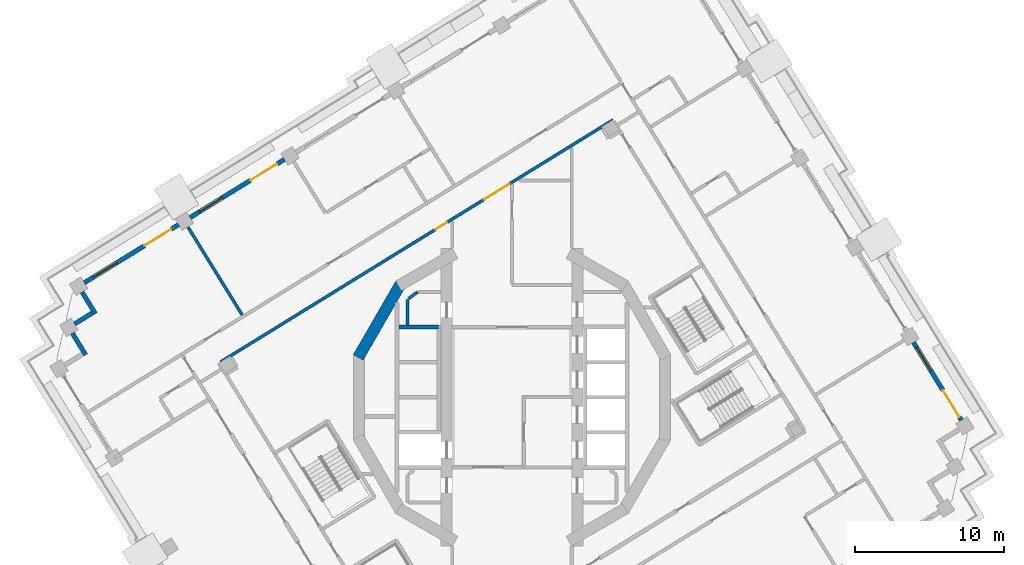
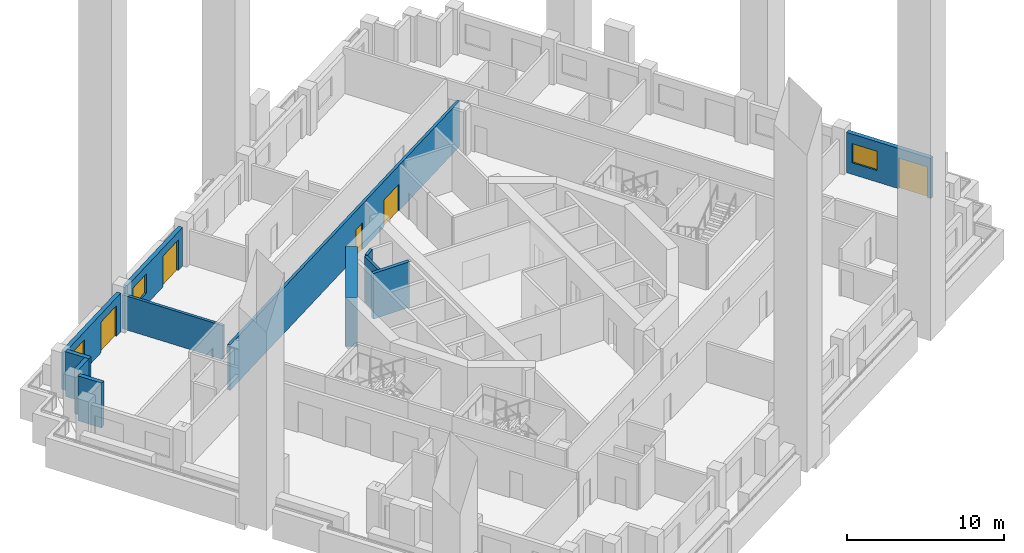
# One storey, part 6 of 19: 12 walls, 5 doors, 3 windows, 8 openings.
"""IFC4 building model written with IfcOpenShell, lengths in metres."""

import ifcopenshell
import ifcopenshell.guid

model = None  # the IFC model being written
_history = None  # IfcOwnerHistory: only IFC2X3 demands one
_inside = {}  # id of a spatial element -> (the spatial element, [elements in it])
_under = {}  # id of a project, library or spatial element -> (it, [spatial elements below it])
_declared = {}  # id of a project -> (the project, [libraries it declares])
_typed = {}  # id of a type object -> (the type object, [elements of that type])
_made_of = {}  # id of a material, layer set ... -> (it, [elements and type objects made of it])


def new_model(schema):
    """Start an empty IFC model of exactly this schema.

    Asked for "IFC4X3", IfcOpenShell would pick the latest addendum, in which some entities
    have other attributes; the version numbers below select the first issue.
    IFC2X3 requires an IfcOwnerHistory on every rooted entity: one is made here for all.
    """
    global model, _history
    if schema == "IFC4X3":
        model = ifcopenshell.file(schema_version=(4, 3, 0, 0))
    else:
        model = ifcopenshell.file(schema=schema)
    _inside.clear()
    _under.clear()
    _declared.clear()
    _typed.clear()
    _made_of.clear()
    _history = None
    if model.schema == "IFC2X3":
        org = make("IfcOrganization", Name="unknown")
        user = make(
            "IfcPersonAndOrganization",
            ThePerson=make("IfcPerson", FamilyName="unknown"),
            TheOrganization=org,
        )
        app = make(
            "IfcApplication",
            ApplicationDeveloper=org,
            Version="unknown",
            ApplicationFullName="unknown",
            ApplicationIdentifier="unknown",
        )
        _history = make(
            "IfcOwnerHistory",
            OwningUser=user,
            OwningApplication=app,
            ChangeAction="ADDED",
            CreationDate=0,
        )
    return model


def make(cls, **values):
    """One entity of the class cls with the attributes given. An attribute that is None is left unset."""
    return model.create_entity(
        cls, **{name: value for name, value in values.items() if value is not None}
    )


def rooted(cls, **values):
    """An entity with a GlobalId (a new one), such as an element, a storey or a relation."""
    return make(cls, GlobalId=ifcopenshell.guid.new(), OwnerHistory=_history, **values)


def si_unit(unit_type, name, prefix=None):
    """IfcSIUnit, for example si_unit("LENGTHUNIT", "METRE", prefix="MILLI")."""
    return make("IfcSIUnit", UnitType=unit_type, Prefix=prefix, Name=name)


def assignment(units):
    """IfcUnitAssignment: the units of a project."""
    return None if units is None else make("IfcUnitAssignment", Units=units)


def point(xyz):
    """IfcCartesianPoint."""
    return None if xyz is None else make("IfcCartesianPoint", Coordinates=xyz)


def direction(xyz):
    """IfcDirection."""
    return None if xyz is None else make("IfcDirection", DirectionRatios=xyz)


def frame(location, z_axis=None, x_axis=None):
    """IfcAxis2Placement3D, a coordinate frame: its origin and axes. An axis left out is left unset."""
    return make(
        "IfcAxis2Placement3D",
        Location=point(location),
        Axis=direction(z_axis),
        RefDirection=direction(x_axis),
    )


def frame_2d(location, x_axis=None):
    """IfcAxis2Placement2D, a coordinate frame in the plane: its origin and x axis."""
    return make(
        "IfcAxis2Placement2D", Location=point(location), RefDirection=direction(x_axis)
    )


def origin():
    """The frame at (0, 0, 0) with its axes left unset."""
    return frame((0.0, 0.0, 0.0))


def place(relative_to, where):
    """IfcLocalPlacement: puts the frame where relative to a parent placement (None: the world)."""
    return make(
        "IfcLocalPlacement", PlacementRelTo=relative_to, RelativePlacement=where
    )


def context(
    kind, dimensions, precision=None, world=None, true_north=None, identifier=None
):
    """IfcGeometricRepresentationContext, for example the 3D "Model" context."""
    return make(
        "IfcGeometricRepresentationContext",
        ContextIdentifier=identifier,
        ContextType=kind,
        CoordinateSpaceDimension=dimensions,
        Precision=precision,
        WorldCoordinateSystem=world,
        TrueNorth=true_north,
    )


def subcontext(parent, identifier, kind, view, scale=None):
    """IfcGeometricRepresentationSubContext, for example "Body" below "Model"."""
    return make(
        "IfcGeometricRepresentationSubContext",
        ContextIdentifier=identifier,
        ContextType=kind,
        ParentContext=parent,
        TargetScale=scale,
        TargetView=view,
    )


def project(units=None, contexts=None):
    """IfcProject with its units and contexts."""
    return rooted(
        "IfcProject",
        Name="project",
        RepresentationContexts=contexts,
        UnitsInContext=assignment(units),
    )


def spatial(cls, under=None, at=None, **own):
    """A site, building, storey or space (cls), placed at a placement, below another one or the project."""
    s = rooted(cls, ObjectPlacement=at, **own)
    if under is not None:
        _under.setdefault(under.id(), (under, []))[1].append(s)
    return s


def profile(cls, at=None, kind="AREA", **sizes):
    """A parametric profile (cls). Its sizes go by their IFC names, for example OverallWidth=200.0."""
    return make(cls, ProfileType=kind, Position=at, **sizes)


def rectangle(**sizes):
    """IfcRectangleProfileDef."""
    return profile("IfcRectangleProfileDef", **sizes)


def extrude(swept, where, along, depth):
    """IfcExtrudedAreaSolid: the profile swept, set in the frame where, extruded along a direction by depth."""
    return make(
        "IfcExtrudedAreaSolid",
        SweptArea=swept,
        Position=where,
        ExtrudedDirection=direction(along),
        Depth=depth,
    )


def shape(context_of_items, identifier, shape_type, items):
    """IfcShapeRepresentation: the items that make up one representation, for example the "Body"."""
    return make(
        "IfcShapeRepresentation",
        ContextOfItems=context_of_items,
        RepresentationIdentifier=identifier,
        RepresentationType=shape_type,
        Items=items,
    )


def material(Name=None, Category=None):
    """IfcMaterial."""
    return make("IfcMaterial", Name=Name, Category=Category)


def layer(
    of_material, thickness, ventilated=None, Name=None, Category=None, Priority=None
):
    """IfcMaterialLayer: one layer of a wall or slab, of a material (None: an air gap)."""
    return make(
        "IfcMaterialLayer",
        Material=of_material,
        LayerThickness=thickness,
        IsVentilated=ventilated,
        Name=Name,
        Category=Category,
        Priority=Priority,
    )


def layer_set(layers, Name=None):
    """IfcMaterialLayerSet."""
    return make("IfcMaterialLayerSet", MaterialLayers=layers, LayerSetName=Name)


def made_of(thing, what):
    """Note that an element or type object is made of a material, layer set ...; save() writes the relation."""
    if what is not None:
        _made_of.setdefault(what.id(), (what, []))[1].append(thing)
    return thing


def type_object(cls, material=None, **own):
    """A type object (cls), such as IfcWallType, which elements share."""
    return made_of(rooted(cls, **own), material)


def element(
    cls,
    number,
    at=None,
    inside=None,
    cuts=None,
    type_object=None,
    material=None,
    context=None,
    identifier="Body",
    shape_type=None,
    held_by="IfcProductDefinitionShape",
    body=None,
    shapes=None,
    **own,
):
    """One element of the class cls, such as IfcWall. Its Tag is "e" and its number.

    at: its placement. inside: the storey or other place that contains it. cuts: it is an
    opening in that element (IfcRelVoidsElement). A single representation is given by context,
    identifier, shape_type and body (its items); several are given by shapes. held_by: the class
    of the entity that holds the representations. save() writes the other relations.
    """
    e = rooted(cls, Tag="e%d" % number, ObjectPlacement=at, **own)
    if body is not None:
        shapes = [shape(context, identifier, shape_type, body)]
    if shapes is not None:
        e.Representation = make(held_by, Representations=shapes)
    if inside is not None:
        _inside.setdefault(inside.id(), (inside, []))[1].append(e)
    if cuts is not None:
        rooted(
            "IfcRelVoidsElement", RelatingBuildingElement=cuts, RelatedOpeningElement=e
        )
    if type_object is not None:
        _typed.setdefault(type_object.id(), (type_object, []))[1].append(e)
    return made_of(e, material)


def fill(opening, filler):
    """IfcRelFillsElement: the door or window that sits in an opening."""
    return rooted(
        "IfcRelFillsElement",
        RelatingOpeningElement=opening,
        RelatedBuildingElement=filler,
    )


def aggregate(whole, parts):
    """IfcRelAggregates: a whole, such as a stair, and the parts it consists of."""
    return rooted("IfcRelAggregates", RelatingObject=whole, RelatedObjects=parts)


def save(model, path):
    """Write the relations noted so far, then the file.

    IfcRelAggregates (storeys below a building ...), IfcRelContainedInSpatialStructure (elements
    in a storey), IfcRelDefinesByType, IfcRelAssociatesMaterial and IfcRelDeclares: one each for
    every whole, place, type object, material and project.
    """
    for whole, parts in _under.values():
        aggregate(whole, parts)
    for where, things in _inside.values():
        rooted(
            "IfcRelContainedInSpatialStructure",
            RelatedElements=things,
            RelatingStructure=where,
        )
    for kind, things in _typed.values():
        rooted("IfcRelDefinesByType", RelatedObjects=things, RelatingType=kind)
    for what, things in _made_of.values():
        rooted("IfcRelAssociatesMaterial", RelatedObjects=things, RelatingMaterial=what)
    for by, libraries in _declared.values():
        rooted("IfcRelDeclares", RelatingContext=by, RelatedDefinitions=libraries)
    model.write(path)


model = new_model("IFC4")

# Units and contexts
model_context = context("Model", 3, precision=1e-05, world=origin(), true_north=direction((0.0, 1.0)))
body_context = subcontext(model_context, "Body", "Model", "MODEL_VIEW")
ifc_project = project(units=[si_unit("LENGTHUNIT", "METRE"), si_unit("AREAUNIT", "SQUARE_METRE"), si_unit("VOLUMEUNIT", "CUBIC_METRE"), si_unit("PLANEANGLEUNIT", "RADIAN"), si_unit("MASSUNIT", "GRAM", prefix="KILO")], contexts=[model_context])

# Site, building, storey
site_placement = place(None, origin())
site = spatial("IfcSite", under=ifc_project, at=site_placement, CompositionType="ELEMENT")
building_placement = place(site_placement, origin())
building = spatial("IfcBuilding", under=site, at=building_placement, Name="Cantera Rosa Tower", CompositionType="ELEMENT")
storey_placement = place(building_placement, frame((0.0, 0.0, 147.60009765625)))
storey = spatial("IfcBuildingStorey", under=building, at=storey_placement, Name="L31", CompositionType="ELEMENT", Elevation=147.60009765625)

# Wall, openings, doors
ifc_material_1 = material(Name="Gypsum board partition")
ifc_layer_1 = layer(ifc_material_1, 0.199951171875)
ifc_layer_set_1 = layer_set([ifc_layer_1], Name="CORRIDOR WALL 200 H3550")
wall_type_1 = type_object("IfcWallType", Name="CORRIDOR WALL 200 H3550", PredefinedType="PARTITIONING", material=ifc_layer_set_1)
wall_1_placement = place(storey_placement, frame((6.76123046875, 18.563232421875, 0.0), z_axis=(0.0, 0.0, 1.0), x_axis=(-0.851115762051, -0.524978056292, 0.0)))
wall_1 = element("IfcWall", 1, at=wall_1_placement, inside=storey, type_object=wall_type_1, Name="CORRIDOR WALL L31-078", PredefinedType="PARTITIONING", context=body_context, shape_type="SweptSolid", body=[
    extrude(rectangle(XDim=30.879638671875, YDim=0.199951171875, at=frame_2d((15.43994140625, 0.0))), origin(), (0.0, 0.0, 1.0), 3.5498046875),
])
opening_1_placement = place(wall_1_placement, frame((13.066650390625, 0.0, 0.0)))
opening_1 = element("IfcOpeningElement", 2, at=opening_1_placement, cuts=wall_1, Name="Opening L31-006", PredefinedType="OPENING", context=body_context, shape_type="SweptSolid", body=[
    extrude(rectangle(XDim=0.89990234375, YDim=2.10009765625, at=frame_2d((0.449951171875, 1.050048828125))), frame((0.0, 0.10986328125, 0.0), z_axis=(0.0, -1.0, 0.0), x_axis=(1.0, 0.0, 0.0)), (0.0, 0.0, 1.0), 0.219970703125),
])
opening_2_placement = place(wall_1_placement, frame((8.1533203125, 0.0, 0.0)))
opening_2 = element("IfcOpeningElement", 3, at=opening_2_placement, cuts=wall_1, Name="Opening L31-009", PredefinedType="OPENING", context=body_context, shape_type="SweptSolid", body=[
    extrude(rectangle(XDim=2.0, YDim=2.10009765625, at=frame_2d((1.0, 1.050048828125))), frame((0.0, 0.10986328125, 0.0), z_axis=(0.0, -1.0, 0.0), x_axis=(1.0, 0.0, 0.0)), (0.0, 0.0, 1.0), 0.219970703125),
])
ifc_material_2 = material(Name="Steel S355J2 (EN 10025-2)", Category="steel")
door_type_1 = type_object("IfcDoorType", Name="LOBBY SCREEN DOOR 2000x2100", OperationType="NOTDEFINED", PredefinedType="DOOR", material=ifc_material_2)
door_1_placement = place(opening_2_placement, origin())
door_1 = element("IfcDoor", 4, at=door_1_placement, inside=storey, type_object=door_type_1, Name="DOOR L31-009", OperationType="NOTDEFINED", OverallHeight=2.10009765625, OverallWidth=2.0, PredefinedType="DOOR", context=body_context, shape_type="SweptSolid", body=[
    extrude(rectangle(XDim=2.0, YDim=2.10009765625, at=frame_2d((1.0, 1.050048828125))), frame((0.0, 0.02490234375, 0.0), z_axis=(0.0, -1.0, 0.0), x_axis=(1.0, 0.0, 0.0)), (0.0, 0.0, 1.0), 0.050048828125),
])
fill(opening_2, door_1)
ifc_material_3 = material(Name="Timber door leaf", Category="wood")
door_type_2 = type_object("IfcDoorType", Name="SERVICE DOOR 900x2100", OperationType="NOTDEFINED", PredefinedType="DOOR", material=ifc_material_3)
door_2_placement = place(opening_1_placement, origin())
door_2 = element("IfcDoor", 5, at=door_2_placement, inside=storey, type_object=door_type_2, Name="DOOR L31-006", OperationType="NOTDEFINED", OverallHeight=2.10009765625, OverallWidth=0.89990234375, PredefinedType="DOOR", context=body_context, shape_type="SweptSolid", body=[
    extrude(rectangle(XDim=0.89990234375, YDim=2.10009765625, at=frame_2d((0.449951171875, 1.050048828125))), frame((0.0, 0.02490234375, 0.0), z_axis=(0.0, -1.0, 0.0), x_axis=(1.0, 0.0, 0.0)), (0.0, 0.0, 1.0), 0.050048828125),
])
fill(opening_1, door_2)

# Walls
ifc_material_4 = material(Name="Hollow clay masonry with cantera stone cladding", Category="masonry")
ifc_layer_2 = layer(ifc_material_4, 0.300048828125)
ifc_layer_set_2 = layer_set([ifc_layer_2], Name="EW-LOGGIA 300")
wall_type_2 = type_object("IfcWallType", Name="EW-LOGGIA 300", PredefinedType="SOLIDWALL", material=ifc_layer_set_2)
wall_2_placement = place(storey_placement, frame((-28.7802734375, 7.0390625, 0.0), z_axis=(0.0, 0.0, 1.0), x_axis=(0.524994468487, -0.851105638601, 0.0)))
element("IfcWall", 6, at=wall_2_placement, inside=storey, type_object=wall_type_2, Name="EN-L31-W13a", PredefinedType="SOLIDWALL", context=body_context, shape_type="SweptSolid", body=[
    extrude(rectangle(XDim=1.7001953125, YDim=0.300048828125, at=frame_2d((0.85009765625, 0.0))), origin(), (0.0, 0.0, 1.0), 3.5),
])
wall_3_placement = place(storey_placement, frame((-28.09423828125, 5.64111328125, 0.0), z_axis=(0.0, 0.0, 1.0), x_axis=(-0.851040987269, -0.525099264891, 0.0)))
element("IfcWall", 7, at=wall_3_placement, inside=storey, type_object=wall_type_2, Name="EN-L31-W13b", PredefinedType="SOLIDWALL", context=body_context, shape_type="SweptSolid", body=[
    extrude(rectangle(XDim=1.39990234375, YDim=0.300048828125, at=frame_2d((0.699951171875, 0.0))), origin(), (0.0, 0.0, 1.0), 3.5),
])
wall_4_placement = place(storey_placement, frame((-29.4326171875, 4.286865234375, 0.0), z_axis=(0.0, 0.0, 1.0), x_axis=(0.524994468487, -0.851105638601, 0.0)))
element("IfcWall", 8, at=wall_4_placement, inside=storey, type_object=wall_type_2, Name="EN-L31-W14a", PredefinedType="SOLIDWALL", context=body_context, shape_type="SweptSolid", body=[
    extrude(rectangle(XDim=1.7001953125, YDim=0.300048828125, at=frame_2d((0.85009765625, 0.0))), origin(), (0.0, 0.0, 1.0), 3.5),
])

# Wall, openings, window, door
ifc_material_5 = material(Name="Hollow clay masonry with cantera stone cladding", Category="masonry")
ifc_layer_3 = layer(ifc_material_5, 0.300048828125)
ifc_layer_set_3 = layer_set([ifc_layer_3], Name="EW-LOGGIA 300 H3020")
wall_type_3 = type_object("IfcWallType", Name="EW-LOGGIA 300 H3020", PredefinedType="SOLIDWALL", material=ifc_layer_set_3)
wall_5_placement = place(storey_placement, frame((-15.23681640625, 15.92138671875, 0.0), z_axis=(0.0, 0.0, 1.0), x_axis=(-0.85112578684, -0.524961803349, 0.0)))
wall_5 = element("IfcWall", 9, at=wall_5_placement, inside=storey, type_object=wall_type_3, Name="EN-L31-W11", PredefinedType="SOLIDWALL", context=body_context, shape_type="SweptSolid", body=[
    extrude(rectangle(XDim=7.420166015625, YDim=0.300048828125, at=frame_2d((3.7099609375, 0.0))), origin(), (0.0, 0.0, 1.0), 3.02001953125),
])
opening_3_placement = place(wall_5_placement, frame((0.580078125, 0.0, 0.0)))
opening_3 = element("IfcOpeningElement", 10, at=opening_3_placement, cuts=wall_5, Name="Opening L31-TD17", PredefinedType="OPENING", context=body_context, shape_type="SweptSolid", body=[
    extrude(rectangle(XDim=2.10009765625, YDim=2.39990234375, at=frame_2d((1.050048828125, 1.199951171875))), frame((0.0, 0.159912109375, 0.0), z_axis=(0.0, -1.0, 0.0), x_axis=(1.0, 0.0, 0.0)), (0.0, 0.0, 1.0), 0.320068359375),
])
opening_4_placement = place(wall_5_placement, frame((4.889892578125, 0.0, 0.89990234375)))
opening_4 = element("IfcOpeningElement", 11, at=opening_4_placement, cuts=wall_5, Name="Opening L31-W18", PredefinedType="OPENING", context=body_context, shape_type="SweptSolid", body=[
    extrude(rectangle(XDim=1.800048828125, YDim=1.5, at=frame_2d((0.89990234375, 0.75))), frame((0.0, 0.159912109375, 0.0), z_axis=(0.0, -1.0, 0.0), x_axis=(1.0, 0.0, 0.0)), (0.0, 0.0, 1.0), 0.320068359375),
])
ifc_material_6 = material(Name="Aluminium frame with clear glass", Category="aluminium")
window_type = type_object("IfcWindowType", Name="Hotel room window 1800x1500", PartitioningType="DOUBLE_PANEL_VERTICAL", PredefinedType="WINDOW", material=ifc_material_6)
window_1_placement = place(opening_4_placement, origin())
window_1 = element("IfcWindow", 12, at=window_1_placement, inside=storey, type_object=window_type, Name="WINDOW L31-W18", OverallHeight=1.5, OverallWidth=1.800048828125, PartitioningType="SINGLE_PANEL", PredefinedType="WINDOW", context=body_context, shape_type="SweptSolid", body=[
    extrude(rectangle(XDim=1.800048828125, YDim=1.5, at=frame_2d((0.89990234375, 0.75))), frame((0.0, 0.030029296875, 0.0), z_axis=(0.0, -1.0, 0.0), x_axis=(1.0, 0.0, 0.0)), (0.0, 0.0, 1.0), 0.06005859375),
])
fill(opening_4, window_1)
ifc_material_7 = material(Name="Aluminium frame with clear glass", Category="aluminium")
door_type_3 = type_object("IfcDoorType", Name="TD-H 2100x2400", OperationType="NOTDEFINED", PredefinedType="DOOR", material=ifc_material_7)
door_3_placement = place(opening_3_placement, origin())
door_3 = element("IfcDoor", 13, at=door_3_placement, inside=storey, type_object=door_type_3, Name="LOGGIA DOOR L31-TD17", OperationType="SLIDING_TO_LEFT", OverallHeight=2.39990234375, OverallWidth=2.10009765625, PredefinedType="DOOR", context=body_context, shape_type="SweptSolid", body=[
    extrude(rectangle(XDim=2.10009765625, YDim=2.39990234375, at=frame_2d((1.050048828125, 1.199951171875))), frame((0.0, 0.02490234375, 0.0), z_axis=(0.0, -1.0, 0.0), x_axis=(1.0, 0.0, 0.0)), (0.0, 0.0, 1.0), 0.050048828125),
])
fill(opening_3, door_3)

wall_6_placement = place(storey_placement, frame((-22.318115234375, 11.5537109375, 0.0), z_axis=(0.0, 0.0, 1.0), x_axis=(-0.851111085575, -0.524985637909, 0.0)))
wall_6 = element("IfcWall", 14, at=wall_6_placement, inside=storey, type_object=wall_type_3, Name="EN-L31-W12", PredefinedType="SOLIDWALL", context=body_context, shape_type="SweptSolid", body=[
    extrude(rectangle(XDim=7.420166015625, YDim=0.300048828125, at=frame_2d((3.7099609375, 0.0))), origin(), (0.0, 0.0, 1.0), 3.02001953125),
])
opening_5_placement = place(wall_6_placement, frame((0.580078125, 0.0, 0.0)))
opening_5 = element("IfcOpeningElement", 15, at=opening_5_placement, cuts=wall_6, Name="Opening L31-TD19", PredefinedType="OPENING", context=body_context, shape_type="SweptSolid", body=[
    extrude(rectangle(XDim=2.10009765625, YDim=2.39990234375, at=frame_2d((1.050048828125, 1.199951171875))), frame((0.0, 0.159912109375, 0.0), z_axis=(0.0, -1.0, 0.0), x_axis=(1.0, 0.0, 0.0)), (0.0, 0.0, 1.0), 0.320068359375),
])
opening_6_placement = place(wall_6_placement, frame((4.889892578125, 0.0, 0.89990234375)))
opening_6 = element("IfcOpeningElement", 16, at=opening_6_placement, cuts=wall_6, Name="Opening L31-W20", PredefinedType="OPENING", context=body_context, shape_type="SweptSolid", body=[
    extrude(rectangle(XDim=1.800048828125, YDim=1.5, at=frame_2d((0.89990234375, 0.75))), frame((0.0, 0.159912109375, 0.0), z_axis=(0.0, -1.0, 0.0), x_axis=(1.0, 0.0, 0.0)), (0.0, 0.0, 1.0), 0.320068359375),
])
window_2_placement = place(opening_6_placement, origin())
window_2 = element("IfcWindow", 17, at=window_2_placement, inside=storey, type_object=window_type, Name="WINDOW L31-W20", OverallHeight=1.5, OverallWidth=1.800048828125, PartitioningType="SINGLE_PANEL", PredefinedType="WINDOW", context=body_context, shape_type="SweptSolid", body=[
    extrude(rectangle(XDim=1.800048828125, YDim=1.5, at=frame_2d((0.89990234375, 0.75))), frame((0.0, 0.030029296875, 0.0), z_axis=(0.0, -1.0, 0.0), x_axis=(1.0, 0.0, 0.0)), (0.0, 0.0, 1.0), 0.06005859375),
])
fill(opening_6, window_2)
door_4_placement = place(opening_5_placement, origin())
door_4 = element("IfcDoor", 18, at=door_4_placement, inside=storey, type_object=door_type_3, Name="LOGGIA DOOR L31-TD19", OperationType="SLIDING_TO_LEFT", OverallHeight=2.39990234375, OverallWidth=2.10009765625, PredefinedType="DOOR", context=body_context, shape_type="SweptSolid", body=[
    extrude(rectangle(XDim=2.10009765625, YDim=2.39990234375, at=frame_2d((1.050048828125, 1.199951171875))), frame((0.0, 0.02490234375, 0.0), z_axis=(0.0, -1.0, 0.0), x_axis=(1.0, 0.0, 0.0)), (0.0, 0.0, 1.0), 0.050048828125),
])
fill(opening_5, door_4)

ifc_material_8 = material(Name="Hollow clay masonry with cantera stone cladding", Category="masonry")
ifc_layer_4 = layer(ifc_material_8, 0.300048828125)
ifc_layer_set_4 = layer_set([ifc_layer_4], Name="EW-LOGGIA 300 H3140")
wall_type_4 = type_object("IfcWallType", Name="EW-LOGGIA 300 H3140", PredefinedType="SOLIDWALL", material=ifc_layer_set_4)
wall_7_placement = place(storey_placement, frame((30.084716796875, -1.53466796875, 0.0), z_axis=(0.0, 0.0, 1.0), x_axis=(-0.524987447654, 0.851109969279, 0.0)))
wall_7 = element("IfcWall", 19, at=wall_7_placement, inside=storey, type_object=wall_type_4, Name="EN-L31-W01", PredefinedType="SOLIDWALL", context=body_context, shape_type="SweptSolid", body=[
    extrude(rectangle(XDim=6.119873046875, YDim=0.300048828125, at=frame_2d((3.06005859375, 0.0))), origin(), (0.0, 0.0, 1.0), 3.139892578125),
])
opening_7_placement = place(wall_7_placement, frame((0.2548828125, 0.0, 0.0)))
opening_7 = element("IfcOpeningElement", 20, at=opening_7_placement, cuts=wall_7, Name="Opening L31-TD01", PredefinedType="OPENING", context=body_context, shape_type="SweptSolid", body=[
    extrude(rectangle(XDim=2.10009765625, YDim=2.39990234375, at=frame_2d((1.050048828125, 1.199951171875))), frame((0.0, 0.159912109375, 0.0), z_axis=(0.0, -1.0, 0.0), x_axis=(1.0, 0.0, 0.0)), (0.0, 0.0, 1.0), 0.320068359375),
])
opening_8_placement = place(wall_7_placement, frame((3.9150390625, 0.0, 0.89990234375)))
opening_8 = element("IfcOpeningElement", 21, at=opening_8_placement, cuts=wall_7, Name="Opening L31-W02", PredefinedType="OPENING", context=body_context, shape_type="SweptSolid", body=[
    extrude(rectangle(XDim=1.800048828125, YDim=1.5, at=frame_2d((0.89990234375, 0.75))), frame((0.0, 0.159912109375, 0.0), z_axis=(0.0, -1.0, 0.0), x_axis=(1.0, 0.0, 0.0)), (0.0, 0.0, 1.0), 0.320068359375),
])
window_3_placement = place(opening_8_placement, origin())
window_3 = element("IfcWindow", 22, at=window_3_placement, inside=storey, type_object=window_type, Name="WINDOW L31-W02", OverallHeight=1.5, OverallWidth=1.800048828125, PartitioningType="SINGLE_PANEL", PredefinedType="WINDOW", context=body_context, shape_type="SweptSolid", body=[
    extrude(rectangle(XDim=1.800048828125, YDim=1.5, at=frame_2d((0.89990234375, 0.75))), frame((0.0, 0.030029296875, 0.0), z_axis=(0.0, -1.0, 0.0), x_axis=(1.0, 0.0, 0.0)), (0.0, 0.0, 1.0), 0.06005859375),
])
fill(opening_8, window_3)
door_5_placement = place(opening_7_placement, origin())
door_5 = element("IfcDoor", 23, at=door_5_placement, inside=storey, type_object=door_type_3, Name="LOGGIA DOOR L31-TD01", OperationType="SLIDING_TO_LEFT", OverallHeight=2.39990234375, OverallWidth=2.10009765625, PredefinedType="DOOR", context=body_context, shape_type="SweptSolid", body=[
    extrude(rectangle(XDim=2.10009765625, YDim=2.39990234375, at=frame_2d((1.050048828125, 1.199951171875))), frame((0.0, 0.02490234375, 0.0), z_axis=(0.0, -1.0, 0.0), x_axis=(1.0, 0.0, 0.0)), (0.0, 0.0, 1.0), 0.050048828125),
])
fill(opening_7, door_5)

# Walls
ifc_material_9 = material(Name="Gypsum board partition")
ifc_layer_5 = layer(ifc_material_9, 0.199951171875)
ifc_layer_set_5 = layer_set([ifc_layer_5], Name="PARTITION 200 H3550")
wall_type_5 = type_object("IfcWallType", Name="PARTITION 200 H3550", PredefinedType="PARTITIONING", material=ifc_layer_set_5)
wall_8_placement = place(storey_placement, frame((-7.0, 4.824951171875, 0.0), z_axis=(0.0, 0.0, 1.0), x_axis=(0.0, 1.0, 0.0)))
element("IfcWall", 24, at=wall_8_placement, inside=storey, type_object=wall_type_5, Name="PARTITION L31-036", PredefinedType="PARTITIONING", context=body_context, shape_type="SweptSolid", body=[
    extrude(rectangle(XDim=1.72509765625, YDim=0.199951171875, at=frame_2d((0.862548828125, 0.0))), origin(), (0.0, 0.0, 1.0), 3.5498046875),
])
wall_9_placement = place(storey_placement, frame((-6.935302734375, 6.59716796875, 0.0), z_axis=(0.0, 0.0, 1.0), x_axis=(0.808227862651, 0.588869868506, 0.0)))
element("IfcWall", 25, at=wall_9_placement, inside=storey, type_object=wall_type_5, Name="PARTITION L31-037", PredefinedType="PARTITIONING", context=body_context, shape_type="SweptSolid", body=[
    extrude(rectangle(XDim=0.76904296875, YDim=0.199951171875, at=frame_2d((0.384521484375, 0.0))), origin(), (0.0, 0.0, 1.0), 3.5498046875),
])
ifc_material_10 = material(Name="Gypsum board partition")
ifc_layer_6 = layer(ifc_material_10, 0.199951171875)
ifc_layer_set_6 = layer_set([ifc_layer_6], Name="PARTY WALL 200 H2650")
wall_type_6 = type_object("IfcWallType", Name="PARTY WALL 200 H2650", PredefinedType="PARTITIONING", material=ifc_layer_set_6)
wall_10_placement = place(storey_placement, frame((-18.060791015625, 5.508544921875, 0.0), z_axis=(0.0, 0.0, 1.0), x_axis=(-0.524973728225, 0.851118431638, 0.0)))
element("IfcWall", 26, at=wall_10_placement, inside=storey, type_object=wall_type_6, Name="PARTY WALL L31-012", PredefinedType="PARTITIONING", context=body_context, shape_type="SweptSolid", body=[
    extrude(rectangle(XDim=7.35009765625, YDim=0.199951171875, at=frame_2d((3.675048828125, 0.0))), origin(), (0.0, 0.0, 1.0), 2.64990234375),
])
ifc_material_11 = material(Name="Concrete C60/75", Category="concrete")
ifc_layer_7 = layer(ifc_material_11, 0.75)
ifc_layer_set_7 = layer_set([ifc_layer_7], Name="RC CORE WALL 750 C60/75")
wall_type_7 = type_object("IfcWallType", Name="RC CORE WALL 750 C60/75", PredefinedType="SHEAR", material=ifc_layer_set_7)
wall_11_placement = place(storey_placement, frame((-10.300537109375, 2.659423828125, 0.0), z_axis=(0.0, 0.0, 1.0), x_axis=(0.500021842983, 0.866012792365, 0.0)))
element("IfcWall", 27, at=wall_11_placement, inside=storey, type_object=wall_type_7, Name="CW-W4 L31", PredefinedType="SHEAR", context=body_context, shape_type="SweptSolid", body=[
    extrude(rectangle(XDim=5.694091796875, YDim=0.75, at=frame_2d((2.84716796875, 0.0))), origin(), (0.0, 0.0, 1.0), 3.7998046875),
])
ifc_material_12 = material(Name="Masonry blockwork", Category="masonry")
ifc_layer_8 = layer(ifc_material_12, 0.25)
ifc_layer_set_8 = layer_set([ifc_layer_8], Name="SHAFT WALL 250 H3550")
wall_type_8 = type_object("IfcWallType", Name="SHAFT WALL 250 H3550", PredefinedType="SOLIDWALL", material=ifc_layer_set_8)
wall_12_placement = place(storey_placement, frame((-7.574951171875, 4.699951171875, 0.0), z_axis=(0.0, 0.0, 1.0), x_axis=(1.0, 0.0, 0.0)))
element("IfcWall", 28, at=wall_12_placement, inside=storey, type_object=wall_type_8, Name="SHAFT WALL L31-031", PredefinedType="SOLIDWALL", context=body_context, shape_type="SweptSolid", body=[
    extrude(rectangle(XDim=2.675048828125, YDim=0.25, at=frame_2d((1.33740234375, 0.0))), origin(), (0.0, 0.0, 1.0), 3.5498046875),
])

save(model, "model.ifc")
